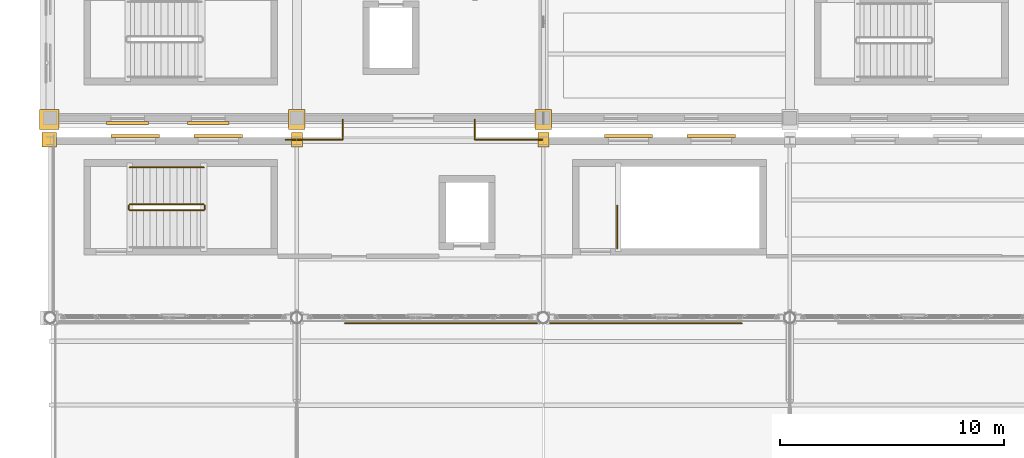
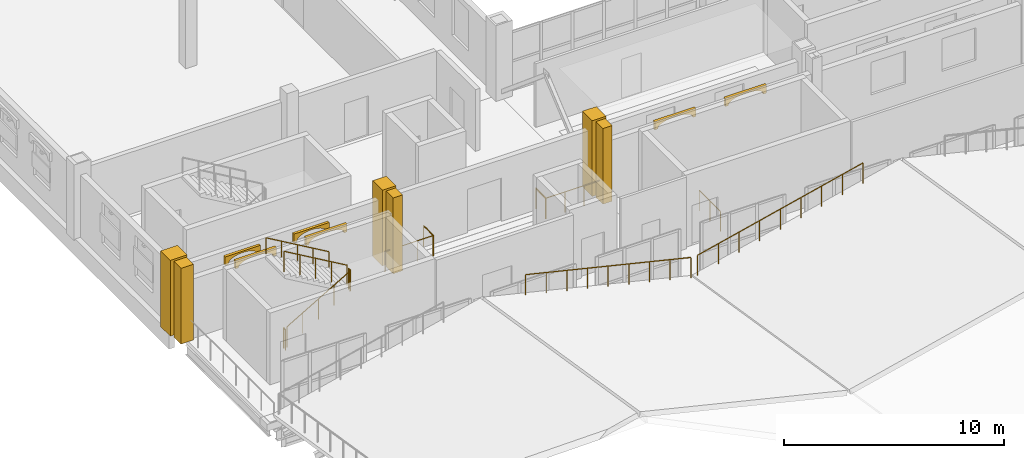
# One storey, part 105 of 120: 12 coverings, 12 railings.
"""IFC4 building model written with IfcOpenShell, lengths in metres."""

from ifc_helpers import new_model, si_unit, direction, frame, origin, origin_2d, place, context, subcontext, project, spatial, polyline, rectangle, circle, outline, extrude, material, layer, layer_set, type_object, element, save


model = new_model("IFC4")

# Units and contexts
model_context = context("Model", 3, precision=1e-05, world=origin(), true_north=direction((0.0, 1.0)))
body_context = subcontext(model_context, "Body", "Model", "MODEL_VIEW")
ifc_project = project(units=[si_unit("LENGTHUNIT", "METRE"), si_unit("AREAUNIT", "SQUARE_METRE"), si_unit("VOLUMEUNIT", "CUBIC_METRE"), si_unit("PLANEANGLEUNIT", "RADIAN"), si_unit("MASSUNIT", "GRAM", prefix="KILO")], contexts=[model_context])

# Site, building, storey
site_placement = place(None, origin())
site = spatial("IfcSite", under=ifc_project, at=site_placement, CompositionType="ELEMENT")
building_placement = place(site_placement, origin())
building = spatial("IfcBuilding", under=site, at=building_placement, Name="Caurita Quay Ferry Terminal", CompositionType="ELEMENT")
storey_placement = place(building_placement, frame((0.0, 0.0, 9.89990234375)))
storey = spatial("IfcBuildingStorey", under=building, at=storey_placement, Name="L02", CompositionType="ELEMENT", Elevation=9.89990234375)

# Coverings
ifc_material_1 = material(Name="Warm-white lime stucco masonry", Category="masonry")
ifc_layer_1 = layer(ifc_material_1, 0.179931640625, Name="Classical engaged lime-stucco facade pilaster cladding 180 mm")
ifc_layer_set_1 = layer_set([ifc_layer_1], Name="Warm-white lime stucco masonry")
covering_type_1 = type_object("IfcCoveringType", Name="COV-PIL-CLD", PredefinedType="CLADDING", material=ifc_layer_set_1)
covering_1_placement = place(storey_placement, frame((-0.050048828125, 70.64990234375, 0.0), z_axis=(0.0, 0.0, 1.0), x_axis=(1.0, 0.0, 0.0)))
element("IfcCovering", 1, at=covering_1_placement, inside=storey, type_object=covering_type_1, Name="L02 Classical Engaged Pilaster 0016", PredefinedType="CLADDING", context=body_context, shape_type="SweptSolid", body=[
    extrude(rectangle(XDim=0.65087890625, YDim=0.643310546875, at=origin_2d()), origin(), (0.0, 0.0, 1.0), 4.199951171875),
])
for number, where, z_axis, x_axis, name in (
    (2, (11.0, 70.64990234375, 0.0), (0.0, 0.0, 1.0), (1.0, 0.0, 0.0), "L02 Classical Engaged Pilaster 0024"),
    (3, (22.0, 70.64990234375, 0.0), (0.0, 0.0, 1.0), (1.0, 0.0, 0.0), "L02 Classical Engaged Pilaster 0032"),
):
    element("IfcCovering", number, at=place(storey_placement, frame(where, z_axis=z_axis, x_axis=x_axis)), inside=storey, type_object=covering_type_1, Name=name, PredefinedType="CLADDING", context=body_context, shape_type="SweptSolid", body=[
        extrude(rectangle(XDim=0.49072265625, YDim=0.643310546875, at=origin_2d()), origin(), (0.0, 0.0, 1.0), 4.199951171875),
    ])
covering_2_placement = place(storey_placement, frame((-0.050048828125, 71.550048828125, 0.0), z_axis=(0.0, 0.0, 1.0), x_axis=(1.0, 0.0, 0.0)))
element("IfcCovering", 4, at=covering_2_placement, inside=storey, type_object=covering_type_1, Name="L02 Classical Engaged Pilaster 0268", PredefinedType="CLADDING", context=body_context, shape_type="SweptSolid", body=[
    extrude(rectangle(XDim=0.8798828125, YDim=0.8798828125, at=origin_2d()), origin(), (0.0, 0.0, 1.0), 4.199951171875),
])
for number, where, z_axis, x_axis, name in (
    (5, (11.0, 71.550048828125, 0.0), (0.0, 0.0, 1.0), (1.0, 0.0, 0.0), "L02 Classical Engaged Pilaster 0298"),
    (6, (22.0, 71.550048828125, 0.0), (0.0, 0.0, 1.0), (1.0, 0.0, 0.0), "L02 Classical Engaged Pilaster 0308"),
):
    element("IfcCovering", number, at=place(storey_placement, frame(where, z_axis=z_axis, x_axis=x_axis)), inside=storey, type_object=covering_type_1, Name=name, PredefinedType="CLADDING", context=body_context, shape_type="SweptSolid", body=[
        extrude(rectangle(XDim=0.719970703125, YDim=0.8798828125, at=origin_2d()), origin(), (0.0, 0.0, 1.0), 4.199951171875),
    ])
ifc_material_2 = material(Name="Coral stone ashlar cladding", Category="masonry")
ifc_layer_2 = layer(ifc_material_2, 0.139892578125, Name="Spanish Colonial semicircular arched window surround 140 mm")
ifc_layer_set_2 = layer_set([ifc_layer_2], Name="Coral stone ashlar cladding")
covering_type_2 = type_object("IfcCoveringType", Name="COV-WHD-MLD", PredefinedType="MOLDING", material=ifc_layer_set_2)
for number, where, z_axis, x_axis, name in (
    (7, (2.52001953125, 71.39990234375, 2.72998046875), (0.0, 0.0, 1.0), (1.0, 0.0, 0.0), "L02 Arched Window Surround 066"),
    (8, (6.1201171875, 71.39990234375, 2.72998046875), (0.0, 0.0, 1.0), (1.0, 0.0, 0.0), "L02 Arched Window Surround 067"),
):
    element("IfcCovering", number, at=place(storey_placement, frame(where, z_axis=z_axis, x_axis=x_axis)), inside=storey, type_object=covering_type_2, Name=name, PredefinedType="MOLDING", context=body_context, shape_type="SweptSolid", body=[
        extrude(outline(polyline([(0.0, 0.0), (0.159912109375, 0.0), (0.159912109375, 0.0400390625), (0.19775390625, 0.1513671875), (0.30712890625, 0.251708984375), (0.477294921875, 0.331298828125), (0.69189453125, 0.38232421875), (0.929931640625, 0.39990234375), (1.16796875, 0.38232421875), (1.382568359375, 0.331298828125), (1.552734375, 0.251708984375), (1.662109375, 0.1513671875), (1.699951171875, 0.0400390625), (1.699951171875, 0.0), (1.85986328125, 0.0), (1.85986328125, 0.480224609375), (0.0, 0.480224609375), (0.0, 0.0)])), frame((0.0, 0.06982421875, 0.0), z_axis=(0.0, -1.0, 0.0), x_axis=(1.0, 0.0, 0.0)), (0.0, 0.0, 1.0), 0.139892578125),
    ])
covering_3_placement = place(storey_placement, frame((8.580078125, 70.81494140625, 2.830078125), z_axis=(0.0, 0.0, 1.0), x_axis=(-1.0, 0.0, 0.0)))
element("IfcCovering", 9, at=covering_3_placement, inside=storey, type_object=covering_type_2, Name="L02 Arched Window Surround 161", PredefinedType="MOLDING", context=body_context, shape_type="SweptSolid", body=[
    extrude(outline(polyline([(0.0, 0.0), (0.159912109375, 0.0), (0.159912109375, 0.0400390625), (0.205078125, 0.139404296875), (0.335693359375, 0.229248046875), (0.539306640625, 0.300537109375), (0.795654296875, 0.34619140625), (1.080078125, 0.362060546875), (1.364501953125, 0.34619140625), (1.620849609375, 0.300537109375), (1.824462890625, 0.229248046875), (1.955078125, 0.139404296875), (2.000244140625, 0.0400390625), (2.000244140625, 0.0), (2.16015625, 0.0), (2.16015625, 0.442138671875), (0.0, 0.442138671875), (0.0, 0.0)])), frame((0.0, 0.06982421875, 0.0), z_axis=(0.0, -1.0, 0.0), x_axis=(1.0, 0.0, 0.0)), (0.0, 0.0, 1.0), 0.139892578125),
])
covering_4_placement = place(storey_placement, frame((4.8798828125, 70.81494140625, 2.830078125), z_axis=(0.0, 0.0, 1.0), x_axis=(-1.0, 0.0, 0.0)))
element("IfcCovering", 10, at=covering_4_placement, inside=storey, type_object=covering_type_2, Name="L02 Arched Window Surround 162", PredefinedType="MOLDING", context=body_context, shape_type="SweptSolid", body=[
    extrude(outline(polyline([(0.0, 0.0), (0.159912109375, 0.0), (0.159912109375, 0.0400390625), (0.205078125, 0.139404296875), (0.335693359375, 0.229248046875), (0.539306640625, 0.300537109375), (0.795654296875, 0.34619140625), (1.080078125, 0.362060546875), (1.3642578125, 0.34619140625), (1.62060546875, 0.300537109375), (1.82421875, 0.229248046875), (1.954833984375, 0.139404296875), (2.0, 0.0400390625), (2.0, 0.0), (2.159912109375, 0.0), (2.159912109375, 0.442138671875), (0.0, 0.442138671875), (0.0, 0.0)])), frame((0.0, 0.06982421875, 0.0), z_axis=(0.0, -1.0, 0.0), x_axis=(1.0, 0.0, 0.0)), (0.0, 0.0, 1.0), 0.139892578125),
])
covering_5_placement = place(storey_placement, frame((30.580078125, 70.81494140625, 2.830078125), z_axis=(0.0, 0.0, 1.0), x_axis=(-1.0, 0.0, 0.0)))
element("IfcCovering", 11, at=covering_5_placement, inside=storey, type_object=covering_type_2, Name="L02 Arched Window Surround 163", PredefinedType="MOLDING", context=body_context, shape_type="SweptSolid", body=[
    extrude(outline(polyline([(0.0, 0.0), (0.159912109375, 0.0), (0.159912109375, 0.0400390625), (0.205078125, 0.142578125), (0.335693359375, 0.235107421875), (0.539306640625, 0.30859375), (0.795654296875, 0.355712890625), (1.080078125, 0.3720703125), (1.364501953125, 0.355712890625), (1.620849609375, 0.30859375), (1.824462890625, 0.235107421875), (1.955078125, 0.142578125), (2.000244140625, 0.0400390625), (2.000244140625, 0.0), (2.16015625, 0.0), (2.16015625, 0.451904296875), (0.0, 0.451904296875), (0.0, 0.0)])), frame((0.0, 0.06982421875, 0.0), z_axis=(0.0, -1.0, 0.0), x_axis=(1.0, 0.0, 0.0)), (0.0, 0.0, 1.0), 0.139892578125),
])
covering_6_placement = place(storey_placement, frame((26.8798828125, 70.81494140625, 2.830078125), z_axis=(0.0, 0.0, 1.0), x_axis=(-1.0, 0.0, 0.0)))
element("IfcCovering", 12, at=covering_6_placement, inside=storey, type_object=covering_type_2, Name="L02 Arched Window Surround 164", PredefinedType="MOLDING", context=body_context, shape_type="SweptSolid", body=[
    extrude(outline(polyline([(0.0, 0.0), (0.159912109375, 0.0), (0.159912109375, 0.0400390625), (0.205078125, 0.142578125), (0.335693359375, 0.235107421875), (0.539306640625, 0.30859375), (0.795654296875, 0.355712890625), (1.080078125, 0.3720703125), (1.3642578125, 0.355712890625), (1.62060546875, 0.30859375), (1.82421875, 0.235107421875), (1.954833984375, 0.142578125), (2.0, 0.0400390625), (2.0, 0.0), (2.159912109375, 0.0), (2.159912109375, 0.451904296875), (0.0, 0.451904296875), (0.0, 0.0)])), frame((0.0, 0.06982421875, 0.0), z_axis=(0.0, -1.0, 0.0), x_axis=(1.0, 0.0, 0.0)), (0.0, 0.0, 1.0), 0.139892578125),
])

# Railings
ifc_material_3 = material(Name="Bronze architectural metalwork", Category="metal")
railing_type_1 = type_object("IfcRailingType", Name="RL-HND-090", PredefinedType="HANDRAIL", material=ifc_material_3)
railing_1_placement = place(storey_placement, frame((6.85009765625, 69.409912109375, 2.275146484375)))
element("IfcRailing", 13, at=railing_1_placement, inside=storey, type_object=railing_type_1, Name="L02 ST-05 stair handrail 2", PredefinedType="HANDRAIL", context=body_context, shape_type="SweptSolid", body=[
    extrude(circle(Radius=0.02392578125, at=origin_2d()), frame((0.0, 0.0, 0.8759765625), z_axis=(-0.863776583165, 0.0, 0.503874998761), x_axis=(0.0, -1.0, 0.0)), (0.0, 0.0, 1.0), 3.820556640625),
    extrude(circle(Radius=0.02099609375, at=origin_2d()), origin(), (0.0, 0.0, 1.0), 0.851806640625),
    extrude(circle(Radius=0.02099609375, at=origin_2d()), frame((-0.824951171875, 0.0, 0.481201171875)), (0.0, 0.0, 1.0), 0.851806640625),
    extrude(circle(Radius=0.02099609375, at=origin_2d()), frame((-1.64990234375, 0.0, 0.96240234375)), (0.0, 0.0, 1.0), 0.851806640625),
    extrude(circle(Radius=0.02099609375, at=origin_2d()), frame((-2.47509765625, 0.0, 1.44384765625)), (0.0, 0.0, 1.0), 0.851806640625),
    extrude(circle(Radius=0.02099609375, at=origin_2d()), frame((-3.300048828125, 0.0, 1.925048828125)), (0.0, 0.0, 1.0), 0.851806640625),
])
railing_type_2 = type_object("IfcRailingType", Name="RL-REJA-115", PredefinedType="BALUSTRADE", material=ifc_material_3)
railing_2_placement = place(storey_placement, frame((10.5, 70.64990234375, 0.0)))
element("IfcRailing", 14, at=railing_2_placement, inside=storey, type_object=railing_type_2, Name="L02 North West Link Bridge West Guard (049)", PredefinedType="BALUSTRADE", context=body_context, shape_type="SweptSolid", body=[
    extrude(circle(Radius=0.02392578125, at=origin_2d()), frame((0.0, 0.0, 1.1259765625), z_axis=(1.0, 0.0, 0.0), x_axis=(0.0, 1.0, 0.0)), (0.0, 0.0, 1.0), 2.550048828125),
    extrude(circle(Radius=0.02099609375, at=origin_2d()), origin(), (0.0, 0.0, 1.0), 1.101806640625),
    extrude(circle(Radius=0.02099609375, at=origin_2d()), frame((0.85009765625, 0.0, 0.0)), (0.0, 0.0, 1.0), 1.101806640625),
    extrude(circle(Radius=0.02099609375, at=origin_2d()), frame((1.699951171875, 0.0, 0.0)), (0.0, 0.0, 1.0), 1.101806640625),
    extrude(circle(Radius=0.02099609375, at=origin_2d()), frame((2.550048828125, 0.0, 0.0)), (0.0, 0.0, 1.0), 1.101806640625),
])
railing_3_placement = place(storey_placement, frame((13.050048828125, 70.64990234375, 0.0)))
element("IfcRailing", 15, at=railing_3_placement, inside=storey, type_object=railing_type_2, Name="L02 North West Link Bridge West Guard (050)", PredefinedType="BALUSTRADE", context=body_context, shape_type="SweptSolid", body=[
    extrude(circle(Radius=0.02392578125, at=origin_2d()), frame((0.0, 0.0, 1.1259765625), z_axis=(0.0, 1.0, 0.0), x_axis=(-1.0, 0.0, 0.0)), (0.0, 0.0, 1.0), 0.900146484375),
    extrude(circle(Radius=0.02099609375, at=origin_2d()), origin(), (0.0, 0.0, 1.0), 1.101806640625),
    extrude(circle(Radius=0.02099609375, at=origin_2d()), frame((0.0, 0.900146484375, 0.0)), (0.0, 0.0, 1.0), 1.101806640625),
])
railing_4_placement = place(storey_placement, frame((18.949951171875, 71.550048828125, 0.0)))
element("IfcRailing", 16, at=railing_4_placement, inside=storey, type_object=railing_type_2, Name="L02 North West Link Bridge East Guard (051)", PredefinedType="BALUSTRADE", context=body_context, shape_type="SweptSolid", body=[
    extrude(circle(Radius=0.02392578125, at=origin_2d()), frame((0.0, 0.0, 1.1259765625), z_axis=(0.0, -1.0, 0.0), x_axis=(1.0, 0.0, 0.0)), (0.0, 0.0, 1.0), 0.900146484375),
    extrude(circle(Radius=0.02099609375, at=origin_2d()), origin(), (0.0, 0.0, 1.0), 1.101806640625),
    extrude(circle(Radius=0.02099609375, at=origin_2d()), frame((0.0, -0.900146484375, 0.0)), (0.0, 0.0, 1.0), 1.101806640625),
])
railing_5_placement = place(storey_placement, frame((18.949951171875, 70.64990234375, 0.0)))
element("IfcRailing", 17, at=railing_5_placement, inside=storey, type_object=railing_type_2, Name="L02 North West Link Bridge East Guard (052)", PredefinedType="BALUSTRADE", context=body_context, shape_type="SweptSolid", body=[
    extrude(circle(Radius=0.02392578125, at=origin_2d()), frame((0.0, 0.0, 1.1259765625), z_axis=(1.0, 0.0, 0.0), x_axis=(0.0, 1.0, 0.0)), (0.0, 0.0, 1.0), 3.0),
    extrude(circle(Radius=0.02099609375, at=origin_2d()), origin(), (0.0, 0.0, 1.0), 1.101806640625),
    extrude(circle(Radius=0.02099609375, at=origin_2d()), frame((1.0, 0.0, 0.0)), (0.0, 0.0, 1.0), 1.101806640625),
    extrude(circle(Radius=0.02099609375, at=origin_2d()), frame((2.0, 0.0, 0.0)), (0.0, 0.0, 1.0), 1.101806640625),
    extrude(circle(Radius=0.02099609375, at=origin_2d()), frame((3.0, 0.0, 0.0)), (0.0, 0.0, 1.0), 1.101806640625),
])
railing_6_placement = place(storey_placement, frame((13.14990234375, 62.449951171875, 2.76416015625)))
element("IfcRailing", 18, at=railing_6_placement, inside=storey, type_object=railing_type_2, Name="Folded Roof Bay 1 Landside Promenade Guard LE", PredefinedType="BALUSTRADE", context=body_context, shape_type="SweptSolid", body=[
    extrude(circle(Radius=0.02392578125, at=origin_2d()), frame((0.0, 0.0, 1.1259765625), z_axis=(0.972381833796, 0.0, -0.233395735401), x_axis=(0.0, 1.0, 0.0)), (0.0, 0.0, 1.0), 8.91650390625),
    extrude(circle(Radius=0.02099609375, at=origin_2d()), origin(), (0.0, 0.0, 1.0), 1.101806640625),
    extrude(circle(Radius=0.02099609375, at=origin_2d()), frame((1.083740234375, 0.0, -0.26025390625)), (0.0, 0.0, 1.0), 1.101806640625),
    extrude(circle(Radius=0.02099609375, at=origin_2d()), frame((2.16748046875, 0.0, -0.520263671875)), (0.0, 0.0, 1.0), 1.101806640625),
    extrude(circle(Radius=0.02099609375, at=origin_2d()), frame((3.251220703125, 0.0, -0.7802734375)), (0.0, 0.0, 1.0), 1.101806640625),
    extrude(circle(Radius=0.02099609375, at=origin_2d()), frame((4.3349609375, 0.0, -1.04052734375)), (0.0, 0.0, 1.0), 1.101806640625),
    extrude(circle(Radius=0.02099609375, at=origin_2d()), frame((5.4189453125, 0.0, -1.30078125)), (0.0, 0.0, 1.0), 1.101806640625),
    extrude(circle(Radius=0.02099609375, at=origin_2d()), frame((6.502685546875, 0.0, -1.560791015625)), (0.0, 0.0, 1.0), 1.101806640625),
    extrude(circle(Radius=0.02099609375, at=origin_2d()), frame((7.58642578125, 0.0, -1.82080078125)), (0.0, 0.0, 1.0), 1.101806640625),
    extrude(circle(Radius=0.02099609375, at=origin_2d()), frame((8.670166015625, 0.0, -2.0810546875)), (0.0, 0.0, 1.0), 1.101806640625),
])
railing_7_placement = place(storey_placement, frame((22.179931640625, 62.449951171875, 0.68310546875)))
element("IfcRailing", 19, at=railing_7_placement, inside=storey, type_object=railing_type_2, Name="Folded Roof Bay 2 Landside Promenade Guard LW", PredefinedType="BALUSTRADE", context=body_context, shape_type="SweptSolid", body=[
    extrude(circle(Radius=0.02392578125, at=origin_2d()), frame((0.0, 0.0, 1.1259765625), z_axis=(0.972381833796, 0.0, 0.233395735401), x_axis=(0.0, 1.0, 0.0)), (0.0, 0.0, 1.0), 8.91650390625),
    extrude(circle(Radius=0.02099609375, at=origin_2d()), origin(), (0.0, 0.0, 1.0), 1.101806640625),
    extrude(circle(Radius=0.02099609375, at=origin_2d()), frame((1.083740234375, 0.0, 0.26025390625)), (0.0, 0.0, 1.0), 1.101806640625),
    extrude(circle(Radius=0.02099609375, at=origin_2d()), frame((2.16748046875, 0.0, 0.520263671875)), (0.0, 0.0, 1.0), 1.101806640625),
    extrude(circle(Radius=0.02099609375, at=origin_2d()), frame((3.251220703125, 0.0, 0.7802734375)), (0.0, 0.0, 1.0), 1.101806640625),
    extrude(circle(Radius=0.02099609375, at=origin_2d()), frame((4.3349609375, 0.0, 1.04052734375)), (0.0, 0.0, 1.0), 1.101806640625),
    extrude(circle(Radius=0.02099609375, at=origin_2d()), frame((5.4189453125, 0.0, 1.30078125)), (0.0, 0.0, 1.0), 1.101806640625),
    extrude(circle(Radius=0.02099609375, at=origin_2d()), frame((6.502685546875, 0.0, 1.560791015625)), (0.0, 0.0, 1.0), 1.101806640625),
    extrude(circle(Radius=0.02099609375, at=origin_2d()), frame((7.58642578125, 0.0, 1.82080078125)), (0.0, 0.0, 1.0), 1.101806640625),
    extrude(circle(Radius=0.02099609375, at=origin_2d()), frame((8.670166015625, 0.0, 2.0810546875)), (0.0, 0.0, 1.0), 1.101806640625),
])
railing_8_placement = place(storey_placement, frame((3.550048828125, 67.5, 0.175048828125)))
element("IfcRailing", 20, at=railing_8_placement, inside=storey, type_object=railing_type_2, Name="L02 ST-05 stair guard 1", PredefinedType="BALUSTRADE", context=body_context, shape_type="SweptSolid", body=[
    extrude(circle(Radius=0.02392578125, at=origin_2d()), frame((0.0, 0.0, 1.1259765625), z_axis=(0.863776583165, 0.0, 0.503874998761), x_axis=(0.0, 1.0, 0.0)), (0.0, 0.0, 1.0), 3.820556640625),
    extrude(circle(Radius=0.02099609375, at=origin_2d()), origin(), (0.0, 0.0, 1.0), 1.101806640625),
    extrude(circle(Radius=0.02099609375, at=origin_2d()), frame((0.824951171875, 0.0, 0.481201171875)), (0.0, 0.0, 1.0), 1.101806640625),
    extrude(circle(Radius=0.02099609375, at=origin_2d()), frame((1.64990234375, 0.0, 0.96240234375)), (0.0, 0.0, 1.0), 1.101806640625),
    extrude(circle(Radius=0.02099609375, at=origin_2d()), frame((2.47509765625, 0.0, 1.44384765625)), (0.0, 0.0, 1.0), 1.101806640625),
    extrude(circle(Radius=0.02099609375, at=origin_2d()), frame((3.300048828125, 0.0, 1.925048828125)), (0.0, 0.0, 1.0), 1.101806640625),
])
railing_9_placement = place(storey_placement, frame((6.89990234375, 67.550048828125, 2.10009765625)))
element("IfcRailing", 21, at=railing_9_placement, inside=storey, type_object=railing_type_2, Name="L02 ST-05 stair guard 2", PredefinedType="BALUSTRADE", context=body_context, shape_type="SweptSolid", body=[
    extrude(circle(Radius=0.02392578125, at=origin_2d()), frame((0.0, 0.0, 1.1259765625), z_axis=(0.0, 1.0, 0.0), x_axis=(-1.0, 0.0, 0.0)), (0.0, 0.0, 1.0), 0.159912109375),
    extrude(circle(Radius=0.02099609375, at=origin_2d()), origin(), (0.0, 0.0, 1.0), 1.101806640625),
    extrude(circle(Radius=0.02099609375, at=origin_2d()), frame((0.0, 0.159912109375, 0.0)), (0.0, 0.0, 1.0), 1.101806640625),
])
railing_10_placement = place(storey_placement, frame((6.85009765625, 67.760009765625, 2.275146484375)))
element("IfcRailing", 22, at=railing_10_placement, inside=storey, type_object=railing_type_2, Name="L02 ST-05 stair guard 3", PredefinedType="BALUSTRADE", context=body_context, shape_type="SweptSolid", body=[
    extrude(circle(Radius=0.02392578125, at=origin_2d()), frame((0.0, 0.0, 1.1259765625), z_axis=(-0.863776583165, 0.0, 0.503874998761), x_axis=(0.0, -1.0, 0.0)), (0.0, 0.0, 1.0), 3.820556640625),
    extrude(circle(Radius=0.02099609375, at=origin_2d()), origin(), (0.0, 0.0, 1.0), 1.101806640625),
    extrude(circle(Radius=0.02099609375, at=origin_2d()), frame((-0.824951171875, 0.0, 0.481201171875)), (0.0, 0.0, 1.0), 1.101806640625),
    extrude(circle(Radius=0.02099609375, at=origin_2d()), frame((-1.64990234375, 0.0, 0.96240234375)), (0.0, 0.0, 1.0), 1.101806640625),
    extrude(circle(Radius=0.02099609375, at=origin_2d()), frame((-2.47509765625, 0.0, 1.44384765625)), (0.0, 0.0, 1.0), 1.101806640625),
    extrude(circle(Radius=0.02099609375, at=origin_2d()), frame((-3.300048828125, 0.0, 1.925048828125)), (0.0, 0.0, 1.0), 1.101806640625),
])
railing_11_placement = place(storey_placement, frame((3.5, 67.550048828125, 0.0)))
element("IfcRailing", 23, at=railing_11_placement, inside=storey, type_object=railing_type_2, Name="L02 ST-05 stair guard 4", PredefinedType="BALUSTRADE", context=body_context, shape_type="SweptSolid", body=[
    extrude(circle(Radius=0.02392578125, at=origin_2d()), frame((0.0, 0.0, 1.1259765625), z_axis=(0.0, 1.0, 0.0), x_axis=(-1.0, 0.0, 0.0)), (0.0, 0.0, 1.0), 0.159912109375),
    extrude(circle(Radius=0.02099609375, at=origin_2d()), origin(), (0.0, 0.0, 1.0), 1.101806640625),
    extrude(circle(Radius=0.02099609375, at=origin_2d()), frame((0.0, 0.159912109375, 0.0)), (0.0, 0.0, 1.0), 1.101806640625),
])
railing_12_placement = place(storey_placement, frame((25.300048828125, 65.800048828125, 0.0)))
element("IfcRailing", 24, at=railing_12_placement, inside=storey, type_object=railing_type_2, Name="L02 ST-06 top well guard 1", PredefinedType="BALUSTRADE", context=body_context, shape_type="SweptSolid", body=[
    extrude(circle(Radius=0.02392578125, at=origin_2d()), frame((0.0, 0.0, 1.1259765625), z_axis=(0.0, 1.0, 0.0), x_axis=(-1.0, 0.0, 0.0)), (0.0, 0.0, 1.0), 1.909912109375),
    extrude(circle(Radius=0.02099609375, at=origin_2d()), origin(), (0.0, 0.0, 1.0), 1.101806640625),
    extrude(circle(Radius=0.02099609375, at=origin_2d()), frame((0.0, 0.955078125, 0.0)), (0.0, 0.0, 1.0), 1.101806640625),
    extrude(circle(Radius=0.02099609375, at=origin_2d()), frame((0.0, 1.909912109375, 0.0)), (0.0, 0.0, 1.0), 1.101806640625),
])

save(model, "model.ifc")
